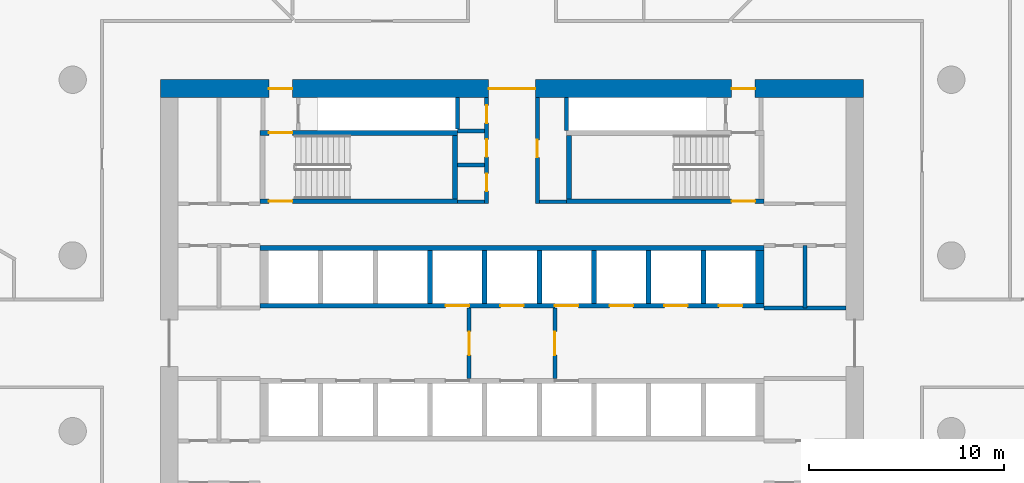
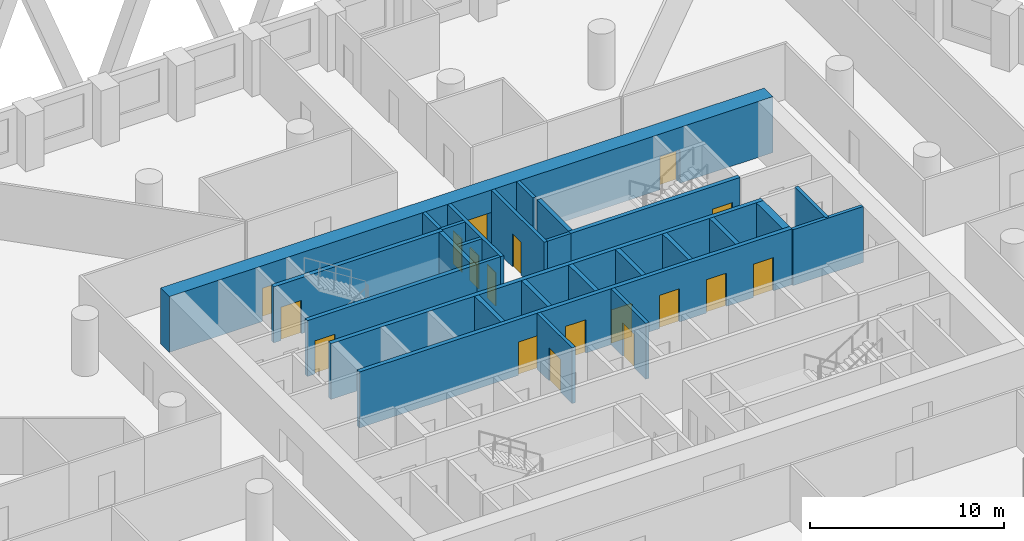
# One storey, part 6 of 18: 27 walls, 18 doors, 18 openings.
"""IFC4 building model written with IfcOpenShell, lengths in metres."""

from ifc_helpers import new_model, si_unit, direction, frame, frame_2d, origin, place, context, subcontext, project, spatial, polyline, rectangle, outline, extrude, material, layer, layer_set, type_object, element, fill, save


model = new_model("IFC4")

# Units and contexts
model_context = context("Model", 3, precision=1e-05, world=origin(), true_north=direction((0.0, 1.0)))
body_context = subcontext(model_context, "Body", "Model", "MODEL_VIEW")
ifc_project = project(units=[si_unit("LENGTHUNIT", "METRE"), si_unit("AREAUNIT", "SQUARE_METRE"), si_unit("VOLUMEUNIT", "CUBIC_METRE"), si_unit("PLANEANGLEUNIT", "RADIAN"), si_unit("MASSUNIT", "GRAM", prefix="KILO")], contexts=[model_context])

# Site, building, storey
site_placement = place(None, origin())
site = spatial("IfcSite", under=ifc_project, at=site_placement, CompositionType="ELEMENT")
building_placement = place(site_placement, origin())
building = spatial("IfcBuilding", under=site, at=building_placement, Name="Dhurran Vertical Campus", CompositionType="ELEMENT")
storey_placement = place(building_placement, frame((0.0, 0.0, 53.39990234375)))
storey = spatial("IfcBuildingStorey", under=building, at=storey_placement, Name="L12", CompositionType="ELEMENT", Elevation=53.39990234375)

# Wall, openings, doors
ifc_material_1 = material(Name="Concrete C60/75", Category="concrete")
ifc_layer_1 = layer(ifc_material_1, 0.89990234375)
ifc_layer_set_1 = layer_set([ifc_layer_1], Name="Concrete C60/75")
wall_type_1 = type_object("IfcWallType", Name="co-CORE-WALL-C0-900", PredefinedType="SHEAR", material=ifc_layer_set_1)
wall_1_placement = place(storey_placement, frame((-18.0, 13.050048828125, 0.0), z_axis=(0.0, 0.0, 1.0), x_axis=(1.0, 0.0, 0.0)))
wall_1 = element("IfcWall", 1, at=wall_1_placement, inside=storey, type_object=wall_type_1, Name="Core wall N L12", PredefinedType="SHEAR", context=body_context, shape_type="SweptSolid", body=[
    extrude(rectangle(XDim=36.0, YDim=0.89990234375, at=frame_2d((18.0, 0.0))), origin(), (0.0, 0.0, 1.0), 3.525146484375),
])
opening_1_placement = place(wall_1_placement, frame((16.800048828125, 0.0, 0.0)))
opening_1 = element("IfcOpeningElement", 2, at=opening_1_placement, cuts=wall_1, Name="Opening CV1", PredefinedType="OPENING", context=body_context, shape_type="SweptSolid", body=[
    extrude(rectangle(XDim=2.39990234375, YDim=2.10009765625, at=frame_2d((1.199951171875, 1.050048828125))), frame((0.0, 0.4599609375, 0.0), z_axis=(0.0, -1.0, 0.0), x_axis=(1.0, 0.0, 0.0)), (0.0, 0.0, 1.0), 0.919921875),
])
opening_2_placement = place(wall_1_placement, frame((5.550048828125, 0.0, 0.0)))
opening_2 = element("IfcOpeningElement", 3, at=opening_2_placement, cuts=wall_1, Name="Opening XD1", PredefinedType="OPENING", context=body_context, shape_type="SweptSolid", body=[
    extrude(rectangle(XDim=1.199951171875, YDim=2.10009765625, at=frame_2d((0.60009765625, 1.050048828125))), frame((0.0, 0.4599609375, 0.0), z_axis=(0.0, -1.0, 0.0), x_axis=(1.0, 0.0, 0.0)), (0.0, 0.0, 1.0), 0.919921875),
])
opening_3_placement = place(wall_1_placement, frame((29.25, 0.0, 0.0)))
opening_3 = element("IfcOpeningElement", 4, at=opening_3_placement, cuts=wall_1, Name="Opening XD2", PredefinedType="OPENING", context=body_context, shape_type="SweptSolid", body=[
    extrude(rectangle(XDim=1.199951171875, YDim=2.10009765625, at=frame_2d((0.60009765625, 1.050048828125))), frame((0.0, 0.4599609375, 0.0), z_axis=(0.0, -1.0, 0.0), x_axis=(1.0, 0.0, 0.0)), (0.0, 0.0, 1.0), 0.919921875),
])
ifc_material_2 = material(Name="Fire-rated glazed door set")
door_type_1 = type_object("IfcDoorType", Name="co-D-LOBBY 2400x2100", OperationType="DOUBLE_DOOR_DOUBLE_SWING", PredefinedType="DOOR", material=ifc_material_2)
door_1_placement = place(opening_1_placement, origin())
door_1 = element("IfcDoor", 5, at=door_1_placement, inside=storey, type_object=door_type_1, Name="Core vestibule door N L12", OperationType="DOUBLE_DOOR_DOUBLE_SWING", OverallHeight=2.10009765625, OverallWidth=2.39990234375, PredefinedType="DOOR", context=body_context, shape_type="SweptSolid", body=[
    extrude(rectangle(XDim=2.39990234375, YDim=2.10009765625, at=frame_2d((1.199951171875, 1.050048828125))), frame((0.0, 0.02490234375, 0.0), z_axis=(0.0, -1.0, 0.0), x_axis=(1.0, 0.0, 0.0)), (0.0, 0.0, 1.0), 0.050048828125),
])
fill(opening_1, door_1)
ifc_material_3 = material(Name="Fire-rated steel door set", Category="steel")
door_type_2 = type_object("IfcDoorType", Name="co-D-STAIR-EXIT 1200x2100", OperationType="SINGLE_SWING_RIGHT", PredefinedType="DOOR", material=ifc_material_3)
door_2_placement = place(opening_2_placement, origin())
door_2 = element("IfcDoor", 6, at=door_2_placement, inside=storey, type_object=door_type_2, Name="Stair ST1 exit door L12", OperationType="SINGLE_SWING_RIGHT", OverallHeight=2.10009765625, OverallWidth=1.199951171875, PredefinedType="DOOR", context=body_context, shape_type="SweptSolid", body=[
    extrude(rectangle(XDim=1.199951171875, YDim=2.10009765625, at=frame_2d((0.60009765625, 1.050048828125))), frame((0.0, 0.02490234375, 0.0), z_axis=(0.0, -1.0, 0.0), x_axis=(1.0, 0.0, 0.0)), (0.0, 0.0, 1.0), 0.050048828125),
])
fill(opening_2, door_2)
door_3_placement = place(opening_3_placement, origin())
door_3 = element("IfcDoor", 7, at=door_3_placement, inside=storey, type_object=door_type_2, Name="Stair ST2 exit door L12", OperationType="SINGLE_SWING_RIGHT", OverallHeight=2.10009765625, OverallWidth=1.199951171875, PredefinedType="DOOR", context=body_context, shape_type="SweptSolid", body=[
    extrude(rectangle(XDim=1.199951171875, YDim=2.10009765625, at=frame_2d((0.60009765625, 1.050048828125))), frame((0.0, 0.02490234375, 0.0), z_axis=(0.0, -1.0, 0.0), x_axis=(1.0, 0.0, 0.0)), (0.0, 0.0, 1.0), 0.050048828125),
])
fill(opening_3, door_3)

# Wall, opening, door
ifc_material_4 = material(Name="Fire-rated masonry blockwork", Category="masonry")
ifc_layer_2 = layer(ifc_material_4, 0.199951171875)
ifc_layer_set_2 = layer_set([ifc_layer_2], Name="Fire-rated masonry blockwork")
wall_type_2 = type_object("IfcWallType", Name="co-FIRE-PARTITION-200", PredefinedType="PARTITIONING", material=ifc_layer_set_2)
wall_2_placement = place(storey_placement, frame((-2.199951171875, -1.800048828125, 0.0), z_axis=(0.0, 0.0, 1.0), x_axis=(0.0, 1.0, 0.0)))
wall_2 = element("IfcWall", 8, at=wall_2_placement, inside=storey, type_object=wall_type_2, Name="Firefighting lobby wall W L12", PredefinedType="PARTITIONING", context=body_context, shape_type="SweptSolid", body=[
    extrude(rectangle(XDim=3.60009765625, YDim=0.199951171875, at=frame_2d((1.800048828125, 0.0))), origin(), (0.0, 0.0, 1.0), 3.525146484375),
])
opening_4_placement = place(wall_2_placement, frame((1.199951171875, 0.0, 0.0)))
opening_4 = element("IfcOpeningElement", 9, at=opening_4_placement, cuts=wall_2, Name="Opening FL1", PredefinedType="OPENING", context=body_context, shape_type="SweptSolid", body=[
    extrude(rectangle(XDim=1.199951171875, YDim=2.10009765625, at=frame_2d((0.60009765625, 1.050048828125))), frame((0.0, 0.10986328125, 0.0), z_axis=(0.0, -1.0, 0.0), x_axis=(1.0, 0.0, 0.0)), (0.0, 0.0, 1.0), 0.219970703125),
])
ifc_material_5 = material(Name="Fire-rated steel door set", Category="steel")
door_type_3 = type_object("IfcDoorType", Name="co-D-FFLOBBY 1200x2100", OperationType="SINGLE_SWING_LEFT", PredefinedType="DOOR", material=ifc_material_5)
door_4_placement = place(opening_4_placement, origin())
door_4 = element("IfcDoor", 10, at=door_4_placement, inside=storey, type_object=door_type_3, Name="Firefighting lobby door W L12", OperationType="SINGLE_SWING_LEFT", OverallHeight=2.10009765625, OverallWidth=1.199951171875, PredefinedType="DOOR", context=body_context, shape_type="SweptSolid", body=[
    extrude(rectangle(XDim=1.199951171875, YDim=2.10009765625, at=frame_2d((0.60009765625, 1.050048828125))), frame((0.0, 0.02490234375, 0.0), z_axis=(0.0, -1.0, 0.0), x_axis=(1.0, 0.0, 0.0)), (0.0, 0.0, 1.0), 0.050048828125),
])
fill(opening_4, door_4)

wall_3_placement = place(storey_placement, frame((2.199951171875, -1.800048828125, 0.0), z_axis=(0.0, 0.0, 1.0), x_axis=(0.0, 1.0, 0.0)))
wall_3 = element("IfcWall", 11, at=wall_3_placement, inside=storey, type_object=wall_type_2, Name="Firefighting lobby wall E L12", PredefinedType="PARTITIONING", context=body_context, shape_type="SweptSolid", body=[
    extrude(rectangle(XDim=3.60009765625, YDim=0.199951171875, at=frame_2d((1.800048828125, 0.0))), origin(), (0.0, 0.0, 1.0), 3.525146484375),
])
opening_5_placement = place(wall_3_placement, frame((1.199951171875, 0.0, 0.0)))
opening_5 = element("IfcOpeningElement", 12, at=opening_5_placement, cuts=wall_3, Name="Opening FL2", PredefinedType="OPENING", context=body_context, shape_type="SweptSolid", body=[
    extrude(rectangle(XDim=1.199951171875, YDim=2.10009765625, at=frame_2d((0.60009765625, 1.050048828125))), frame((0.0, 0.10986328125, 0.0), z_axis=(0.0, -1.0, 0.0), x_axis=(1.0, 0.0, 0.0)), (0.0, 0.0, 1.0), 0.219970703125),
])
door_5_placement = place(opening_5_placement, origin())
door_5 = element("IfcDoor", 13, at=door_5_placement, inside=storey, type_object=door_type_3, Name="Firefighting lobby door E L12", OperationType="SINGLE_SWING_LEFT", OverallHeight=2.10009765625, OverallWidth=1.199951171875, PredefinedType="DOOR", context=body_context, shape_type="SweptSolid", body=[
    extrude(rectangle(XDim=1.199951171875, YDim=2.10009765625, at=frame_2d((0.60009765625, 1.050048828125))), frame((0.0, 0.02490234375, 0.0), z_axis=(0.0, -1.0, 0.0), x_axis=(1.0, 0.0, 0.0)), (0.0, 0.0, 1.0), 0.050048828125),
])
fill(opening_5, door_5)

# Walls
for number, where, z_axis, x_axis, name in (
    (14, (-2.800048828125, 7.25, 0.0), (0.0, 0.0, 1.0), (1.0, 0.0, 0.0), "Core partition sl-NW-S L12"),
    (15, (-2.800048828125, 9.135009765625, 0.0), (0.0, 0.0, 1.0), (1.0, 0.0, 0.0), "Core partition sl-NW-cut0 L12"),
    (16, (-2.800048828125, 10.867431640625, 0.0), (0.0, 0.0, 1.0), (1.0, 0.0, 0.0), "Core partition sl-NW-cut1 L12"),
    (17, (1.39990234375, 7.25, 0.0), (0.0, 0.0, 1.0), (1.0, 0.0, 0.0), "Core partition sl-NE-S L12"),
):
    element("IfcWall", number, at=place(storey_placement, frame(where, z_axis=z_axis, x_axis=x_axis)), inside=storey, type_object=wall_type_2, Name=name, PredefinedType="PARTITIONING", context=body_context, shape_type="SweptSolid", body=[
        extrude(rectangle(XDim=1.400146484375, YDim=0.199951171875, at=frame_2d((0.7001953125, 0.0))), origin(), (0.0, 0.0, 1.0), 3.525146484375),
    ])

# Wall, openings, doors
wall_4_placement = place(storey_placement, frame((-1.300048828125, 7.14990234375, 0.0), z_axis=(0.0, 0.0, 1.0), x_axis=(0.0, 1.0, 0.0)))
wall_4 = element("IfcWall", 18, at=wall_4_placement, inside=storey, type_object=wall_type_2, Name="Core partition vest-NW L12", PredefinedType="PARTITIONING", context=body_context, shape_type="SweptSolid", body=[
    extrude(rectangle(XDim=5.4501953125, YDim=0.199951171875, at=frame_2d((2.72509765625, 0.0))), origin(), (0.0, 0.0, 1.0), 3.525146484375),
])
opening_6_placement = place(wall_4_placement, frame((0.642578125, 0.0, 0.0)))
opening_6 = element("IfcOpeningElement", 19, at=opening_6_placement, cuts=wall_4, Name="Opening T03-C6", PredefinedType="OPENING", context=body_context, shape_type="SweptSolid", body=[
    extrude(rectangle(XDim=0.89990234375, YDim=2.10009765625, at=frame_2d((0.449951171875, 1.050048828125))), frame((0.0, 0.10986328125, 0.0), z_axis=(0.0, -1.0, 0.0), x_axis=(1.0, 0.0, 0.0)), (0.0, 0.0, 1.0), 0.219970703125),
])
opening_7_placement = place(wall_4_placement, frame((2.401123046875, 0.0, 0.0)))
opening_7 = element("IfcOpeningElement", 20, at=opening_7_placement, cuts=wall_4, Name="Opening T03-C7", PredefinedType="OPENING", context=body_context, shape_type="SweptSolid", body=[
    extrude(rectangle(XDim=0.89990234375, YDim=2.10009765625, at=frame_2d((0.449951171875, 1.050048828125))), frame((0.0, 0.10986328125, 0.0), z_axis=(0.0, -1.0, 0.0), x_axis=(1.0, 0.0, 0.0)), (0.0, 0.0, 1.0), 0.219970703125),
])
opening_8_placement = place(wall_4_placement, frame((4.1337890625, 0.0, 0.0)))
opening_8 = element("IfcOpeningElement", 21, at=opening_8_placement, cuts=wall_4, Name="Opening T03-C8", PredefinedType="OPENING", context=body_context, shape_type="SweptSolid", body=[
    extrude(rectangle(XDim=0.89990234375, YDim=2.10009765625, at=frame_2d((0.449951171875, 1.050048828125))), frame((0.0, 0.10986328125, 0.0), z_axis=(0.0, -1.0, 0.0), x_axis=(1.0, 0.0, 0.0)), (0.0, 0.0, 1.0), 0.219970703125),
])
ifc_material_6 = material(Name="Fire-rated timber door set", Category="wood")
door_type_4 = type_object("IfcDoorType", Name="co-D-ROOM 900x2100", OperationType="SINGLE_SWING_LEFT", PredefinedType="DOOR", material=ifc_material_6)
door_6_placement = place(opening_6_placement, origin())
door_6 = element("IfcDoor", 22, at=door_6_placement, inside=storey, type_object=door_type_4, Name="Cleaner's store door L12", OperationType="SINGLE_SWING_LEFT", OverallHeight=2.10009765625, OverallWidth=0.89990234375, PredefinedType="DOOR", context=body_context, shape_type="SweptSolid", body=[
    extrude(rectangle(XDim=0.89990234375, YDim=2.10009765625, at=frame_2d((0.449951171875, 1.050048828125))), frame((0.0, 0.02490234375, 0.0), z_axis=(0.0, -1.0, 0.0), x_axis=(1.0, 0.0, 0.0)), (0.0, 0.0, 1.0), 0.050048828125),
])
fill(opening_6, door_6)
door_7_placement = place(opening_7_placement, origin())
door_7 = element("IfcDoor", 23, at=door_7_placement, inside=storey, type_object=door_type_4, Name="Communications room door L12", OperationType="SINGLE_SWING_LEFT", OverallHeight=2.10009765625, OverallWidth=0.89990234375, PredefinedType="DOOR", context=body_context, shape_type="SweptSolid", body=[
    extrude(rectangle(XDim=0.89990234375, YDim=2.10009765625, at=frame_2d((0.449951171875, 1.050048828125))), frame((0.0, 0.02490234375, 0.0), z_axis=(0.0, -1.0, 0.0), x_axis=(1.0, 0.0, 0.0)), (0.0, 0.0, 1.0), 0.050048828125),
])
fill(opening_7, door_7)
door_8_placement = place(opening_8_placement, origin())
door_8 = element("IfcDoor", 24, at=door_8_placement, inside=storey, type_object=door_type_4, Name="Pantry door L12", OperationType="SINGLE_SWING_LEFT", OverallHeight=2.10009765625, OverallWidth=0.89990234375, PredefinedType="DOOR", context=body_context, shape_type="SweptSolid", body=[
    extrude(rectangle(XDim=0.89990234375, YDim=2.10009765625, at=frame_2d((0.449951171875, 1.050048828125))), frame((0.0, 0.02490234375, 0.0), z_axis=(0.0, -1.0, 0.0), x_axis=(1.0, 0.0, 0.0)), (0.0, 0.0, 1.0), 0.050048828125),
])
fill(opening_8, door_8)

# Wall, opening, door
wall_5_placement = place(storey_placement, frame((1.300048828125, 7.14990234375, 0.0), z_axis=(0.0, 0.0, 1.0), x_axis=(0.0, 1.0, 0.0)))
wall_5 = element("IfcWall", 25, at=wall_5_placement, inside=storey, type_object=wall_type_2, Name="Core partition vest-NE L12", PredefinedType="PARTITIONING", context=body_context, shape_type="SweptSolid", body=[
    extrude(rectangle(XDim=5.4501953125, YDim=0.199951171875, at=frame_2d((2.72509765625, 0.0))), origin(), (0.0, 0.0, 1.0), 3.525146484375),
])
opening_9_placement = place(wall_5_placement, frame((2.375, 0.0, 0.0)))
opening_9 = element("IfcOpeningElement", 26, at=opening_9_placement, cuts=wall_5, Name="Opening T03-C9", PredefinedType="OPENING", context=body_context, shape_type="SweptSolid", body=[
    extrude(rectangle(XDim=0.89990234375, YDim=2.10009765625, at=frame_2d((0.449951171875, 1.050048828125))), frame((0.0, 0.10986328125, 0.0), z_axis=(0.0, -1.0, 0.0), x_axis=(1.0, 0.0, 0.0)), (0.0, 0.0, 1.0), 0.219970703125),
])
door_9_placement = place(opening_9_placement, origin())
door_9 = element("IfcDoor", 27, at=door_9_placement, inside=storey, type_object=door_type_4, Name="Fire equipment store door L12", OperationType="SINGLE_SWING_LEFT", OverallHeight=2.10009765625, OverallWidth=0.89990234375, PredefinedType="DOOR", context=body_context, shape_type="SweptSolid", body=[
    extrude(rectangle(XDim=0.89990234375, YDim=2.10009765625, at=frame_2d((0.449951171875, 1.050048828125))), frame((0.0, 0.02490234375, 0.0), z_axis=(0.0, -1.0, 0.0), x_axis=(1.0, 0.0, 0.0)), (0.0, 0.0, 1.0), 0.050048828125),
])
fill(opening_9, door_9)

# Walls
wall_6_placement = place(storey_placement, frame((15.0, 1.800048828125, 0.0), z_axis=(0.0, 0.0, 1.0), x_axis=(0.0, 1.0, 0.0)))
element("IfcWall", 28, at=wall_6_placement, inside=storey, type_object=wall_type_2, Name="Core partition es-NE-cut0 L12", PredefinedType="PARTITIONING", context=body_context, shape_type="SweptSolid", body=[
    extrude(rectangle(XDim=3.199951171875, YDim=0.199951171875, at=frame_2d((1.60009765625, 0.0))), origin(), (0.0, 0.0, 1.0), 3.525146484375),
])
wall_7_placement = place(storey_placement, frame((12.89990234375, 1.800048828125, 0.0), z_axis=(0.0, 0.0, 1.0), x_axis=(1.0, 0.0, 0.0)))
element("IfcWall", 29, at=wall_7_placement, inside=storey, type_object=wall_type_2, Name="Core partition es-NE-l L12", PredefinedType="PARTITIONING", context=body_context, shape_type="SweptSolid", body=[
    extrude(rectangle(XDim=4.2001953125, YDim=0.199951171875, at=frame_2d((2.10009765625, 0.0))), origin(), (0.0, 0.0, 1.0), 3.525146484375),
])
wall_8_placement = place(storey_placement, frame((-2.800048828125, 10.968505859375, 0.0), z_axis=(0.0, 0.0, 1.0), x_axis=(0.0, 1.0, 0.0)))
element("IfcWall", 30, at=wall_8_placement, inside=storey, type_object=wall_type_2, Name="Riser enclosure wall L12", PredefinedType="PARTITIONING", context=body_context, shape_type="SweptSolid", body=[
    extrude(rectangle(XDim=1.630615234375, YDim=0.199951171875, at=frame_2d((0.8154296875, 0.0))), origin(), (0.0, 0.0, 1.0), 3.525146484375),
])
wall_9_placement = place(storey_placement, frame((2.800048828125, 12.59912109375, 0.0), z_axis=(0.0, 0.0, 1.0), x_axis=(0.0, -1.0, 0.0)))
element("IfcWall", 31, at=wall_9_placement, inside=storey, type_object=wall_type_2, Name="Riser enclosure wall L12", PredefinedType="PARTITIONING", context=body_context, shape_type="SweptSolid", body=[
    extrude(rectangle(XDim=1.6982421875, YDim=0.199951171875, at=frame_2d((0.84912109375, 0.0))), origin(), (0.0, 0.0, 1.0), 3.525146484375),
])

# Wall, openings, doors
ifc_material_7 = material(Name="Concrete C50/60", Category="concrete")
ifc_layer_3 = layer(ifc_material_7, 0.25)
ifc_layer_set_3 = layer_set([ifc_layer_3], Name="Concrete C50/60")
wall_type_3 = type_object("IfcWallType", Name="co-SHAFT-FRONT-250", PredefinedType="SHEAR", material=ifc_layer_set_3)
wall_10_placement = place(storey_placement, frame((-12.89990234375, 1.925048828125, 0.0), z_axis=(0.0, 0.0, 1.0), x_axis=(1.0, 0.0, 0.0)))
wall_10 = element("IfcWall", 32, at=wall_10_placement, inside=storey, type_object=wall_type_3, Name="Lift landing wall N L12", PredefinedType="SHEAR", context=body_context, shape_type="SweptSolid", body=[
    extrude(rectangle(XDim=25.7998046875, YDim=0.25, at=frame_2d((12.89990234375, 0.0))), origin(), (0.0, 0.0, 1.0), 3.525146484375),
])
opening_10_placement = place(wall_10_placement, frame((9.5, 0.0, 0.0)))
opening_10 = element("IfcOpeningElement", 33, at=opening_10_placement, cuts=wall_10, Name="Opening LD", PredefinedType="OPENING", context=body_context, shape_type="SweptSolid", body=[
    extrude(rectangle(XDim=1.199951171875, YDim=2.10009765625, at=frame_2d((0.60009765625, 1.050048828125))), frame((0.0, 0.135009765625, 0.0), z_axis=(0.0, -1.0, 0.0), x_axis=(1.0, 0.0, 0.0)), (0.0, 0.0, 1.0), 0.27001953125),
])
opening_11_placement = place(wall_10_placement, frame((12.300048828125, 0.0, 0.0)))
opening_11 = element("IfcOpeningElement", 34, at=opening_11_placement, cuts=wall_10, Name="Opening LD", PredefinedType="OPENING", context=body_context, shape_type="SweptSolid", body=[
    extrude(rectangle(XDim=1.199951171875, YDim=2.10009765625, at=frame_2d((0.60009765625, 1.050048828125))), frame((0.0, 0.135009765625, 0.0), z_axis=(0.0, -1.0, 0.0), x_axis=(1.0, 0.0, 0.0)), (0.0, 0.0, 1.0), 0.27001953125),
])
opening_12_placement = place(wall_10_placement, frame((15.10009765625, 0.0, 0.0)))
opening_12 = element("IfcOpeningElement", 35, at=opening_12_placement, cuts=wall_10, Name="Opening LD", PredefinedType="OPENING", context=body_context, shape_type="SweptSolid", body=[
    extrude(rectangle(XDim=1.199951171875, YDim=2.10009765625, at=frame_2d((0.60009765625, 1.050048828125))), frame((0.0, 0.135009765625, 0.0), z_axis=(0.0, -1.0, 0.0), x_axis=(1.0, 0.0, 0.0)), (0.0, 0.0, 1.0), 0.27001953125),
])
opening_13_placement = place(wall_10_placement, frame((17.89990234375, 0.0, 0.0)))
opening_13 = element("IfcOpeningElement", 36, at=opening_13_placement, cuts=wall_10, Name="Opening LD", PredefinedType="OPENING", context=body_context, shape_type="SweptSolid", body=[
    extrude(rectangle(XDim=1.199951171875, YDim=2.10009765625, at=frame_2d((0.60009765625, 1.050048828125))), frame((0.0, 0.135009765625, 0.0), z_axis=(0.0, -1.0, 0.0), x_axis=(1.0, 0.0, 0.0)), (0.0, 0.0, 1.0), 0.27001953125),
])
opening_14_placement = place(wall_10_placement, frame((20.699951171875, 0.0, 0.0)))
opening_14 = element("IfcOpeningElement", 37, at=opening_14_placement, cuts=wall_10, Name="Opening LD", PredefinedType="OPENING", context=body_context, shape_type="SweptSolid", body=[
    extrude(rectangle(XDim=1.199951171875, YDim=2.10009765625, at=frame_2d((0.60009765625, 1.050048828125))), frame((0.0, 0.135009765625, 0.0), z_axis=(0.0, -1.0, 0.0), x_axis=(1.0, 0.0, 0.0)), (0.0, 0.0, 1.0), 0.27001953125),
])
opening_15_placement = place(wall_10_placement, frame((23.5, 0.0, 0.0)))
opening_15 = element("IfcOpeningElement", 38, at=opening_15_placement, cuts=wall_10, Name="Opening LD", PredefinedType="OPENING", context=body_context, shape_type="SweptSolid", body=[
    extrude(rectangle(XDim=1.199951171875, YDim=2.10009765625, at=frame_2d((0.60009765625, 1.050048828125))), frame((0.0, 0.135009765625, 0.0), z_axis=(0.0, -1.0, 0.0), x_axis=(1.0, 0.0, 0.0)), (0.0, 0.0, 1.0), 0.27001953125),
])
ifc_material_8 = material(Name="Stainless steel landing door", Category="steel")
door_type_5 = type_object("IfcDoorType", Name="co-D-LANDING 1200x2100", OperationType="DOUBLE_DOOR_SLIDING", PredefinedType="DOOR", material=ifc_material_8)
door_10_placement = place(opening_10_placement, origin())
door_10 = element("IfcDoor", 39, at=door_10_placement, inside=storey, type_object=door_type_5, Name="Landing door LR1 L12", OperationType="DOUBLE_DOOR_SLIDING", OverallHeight=2.10009765625, OverallWidth=1.199951171875, PredefinedType="DOOR", context=body_context, shape_type="SweptSolid", body=[
    extrude(rectangle(XDim=1.199951171875, YDim=2.10009765625, at=frame_2d((0.60009765625, 1.050048828125))), frame((0.0, 0.02490234375, 0.0), z_axis=(0.0, -1.0, 0.0), x_axis=(1.0, 0.0, 0.0)), (0.0, 0.0, 1.0), 0.050048828125),
])
fill(opening_10, door_10)
door_11_placement = place(opening_11_placement, origin())
door_11 = element("IfcDoor", 40, at=door_11_placement, inside=storey, type_object=door_type_5, Name="Landing door FF1 L12", OperationType="DOUBLE_DOOR_SLIDING", OverallHeight=2.10009765625, OverallWidth=1.199951171875, PredefinedType="DOOR", context=body_context, shape_type="SweptSolid", body=[
    extrude(rectangle(XDim=1.199951171875, YDim=2.10009765625, at=frame_2d((0.60009765625, 1.050048828125))), frame((0.0, 0.02490234375, 0.0), z_axis=(0.0, -1.0, 0.0), x_axis=(1.0, 0.0, 0.0)), (0.0, 0.0, 1.0), 0.050048828125),
])
fill(opening_11, door_11)
door_12_placement = place(opening_12_placement, origin())
door_12 = element("IfcDoor", 41, at=door_12_placement, inside=storey, type_object=door_type_5, Name="Landing door LR2 L12", OperationType="DOUBLE_DOOR_SLIDING", OverallHeight=2.10009765625, OverallWidth=1.199951171875, PredefinedType="DOOR", context=body_context, shape_type="SweptSolid", body=[
    extrude(rectangle(XDim=1.199951171875, YDim=2.10009765625, at=frame_2d((0.60009765625, 1.050048828125))), frame((0.0, 0.02490234375, 0.0), z_axis=(0.0, -1.0, 0.0), x_axis=(1.0, 0.0, 0.0)), (0.0, 0.0, 1.0), 0.050048828125),
])
fill(opening_12, door_12)
door_13_placement = place(opening_13_placement, origin())
door_13 = element("IfcDoor", 42, at=door_13_placement, inside=storey, type_object=door_type_5, Name="Landing door LR3 L12", OperationType="DOUBLE_DOOR_SLIDING", OverallHeight=2.10009765625, OverallWidth=1.199951171875, PredefinedType="DOOR", context=body_context, shape_type="SweptSolid", body=[
    extrude(rectangle(XDim=1.199951171875, YDim=2.10009765625, at=frame_2d((0.60009765625, 1.050048828125))), frame((0.0, 0.02490234375, 0.0), z_axis=(0.0, -1.0, 0.0), x_axis=(1.0, 0.0, 0.0)), (0.0, 0.0, 1.0), 0.050048828125),
])
fill(opening_13, door_13)
door_14_placement = place(opening_14_placement, origin())
door_14 = element("IfcDoor", 43, at=door_14_placement, inside=storey, type_object=door_type_5, Name="Landing door LR4 L12", OperationType="DOUBLE_DOOR_SLIDING", OverallHeight=2.10009765625, OverallWidth=1.199951171875, PredefinedType="DOOR", context=body_context, shape_type="SweptSolid", body=[
    extrude(rectangle(XDim=1.199951171875, YDim=2.10009765625, at=frame_2d((0.60009765625, 1.050048828125))), frame((0.0, 0.02490234375, 0.0), z_axis=(0.0, -1.0, 0.0), x_axis=(1.0, 0.0, 0.0)), (0.0, 0.0, 1.0), 0.050048828125),
])
fill(opening_14, door_14)
door_15_placement = place(opening_15_placement, origin())
door_15 = element("IfcDoor", 44, at=door_15_placement, inside=storey, type_object=door_type_5, Name="Landing door SV2 L12", OperationType="DOUBLE_DOOR_SLIDING", OverallHeight=2.10009765625, OverallWidth=1.199951171875, PredefinedType="DOOR", context=body_context, shape_type="SweptSolid", body=[
    extrude(rectangle(XDim=1.199951171875, YDim=2.10009765625, at=frame_2d((0.60009765625, 1.050048828125))), frame((0.0, 0.02490234375, 0.0), z_axis=(0.0, -1.0, 0.0), x_axis=(1.0, 0.0, 0.0)), (0.0, 0.0, 1.0), 0.050048828125),
])
fill(opening_15, door_15)

# Walls
ifc_material_9 = material(Name="Concrete C50/60", Category="concrete")
ifc_layer_4 = layer(ifc_material_9, 0.25)
ifc_layer_set_4 = layer_set([ifc_layer_4], Name="Concrete C50/60")
wall_type_4 = type_object("IfcWallType", Name="co-SHAFT-MASS-250", PredefinedType="SHEAR", material=ifc_layer_set_4)
wall_11_placement = place(storey_placement, origin())
element("IfcWall", 45, at=wall_11_placement, inside=storey, type_object=wall_type_4, Name="Lift shaft wall N L12 1", PredefinedType="SHEAR", context=body_context, shape_type="SweptSolid", body=[
    extrude(outline(polyline([(-12.89990234375, 4.75), (12.89990234375, 4.75), (12.89990234375, 5.0), (-12.89990234375, 5.0), (-12.89990234375, 4.75)])), origin(), (0.0, 0.0, 1.0), 3.525146484375),
])
wall_12_placement = place(storey_placement, origin())
element("IfcWall", 46, at=wall_12_placement, inside=storey, type_object=wall_type_4, Name="Lift shaft wall N L12 5", PredefinedType="SHEAR", context=body_context, shape_type="SweptSolid", body=[
    extrude(outline(polyline([(-4.324951171875, 2.050048828125), (-4.074951171875, 2.050048828125), (-4.074951171875, 4.75), (-4.324951171875, 4.75), (-4.324951171875, 2.050048828125)])), origin(), (0.0, 0.0, 1.0), 3.525146484375),
])
wall_13_placement = place(storey_placement, origin())
element("IfcWall", 47, at=wall_13_placement, inside=storey, type_object=wall_type_4, Name="Lift shaft wall N L12 6", PredefinedType="SHEAR", context=body_context, shape_type="SweptSolid", body=[
    extrude(outline(polyline([(-1.52490234375, 2.050048828125), (-1.27490234375, 2.050048828125), (-1.27490234375, 4.75), (-1.52490234375, 4.75), (-1.52490234375, 2.050048828125)])), origin(), (0.0, 0.0, 1.0), 3.525146484375),
])
wall_14_placement = place(storey_placement, origin())
element("IfcWall", 48, at=wall_14_placement, inside=storey, type_object=wall_type_4, Name="Lift shaft wall N L12 7", PredefinedType="SHEAR", context=body_context, shape_type="SweptSolid", body=[
    extrude(outline(polyline([(1.27490234375, 2.050048828125), (1.52490234375, 2.050048828125), (1.52490234375, 4.75), (1.27490234375, 4.75), (1.27490234375, 2.050048828125)])), origin(), (0.0, 0.0, 1.0), 3.525146484375),
])
wall_15_placement = place(storey_placement, origin())
element("IfcWall", 49, at=wall_15_placement, inside=storey, type_object=wall_type_4, Name="Lift shaft wall N L12 8", PredefinedType="SHEAR", context=body_context, shape_type="SweptSolid", body=[
    extrude(outline(polyline([(4.074951171875, 2.050048828125), (4.324951171875, 2.050048828125), (4.324951171875, 4.75), (4.074951171875, 4.75), (4.074951171875, 2.050048828125)])), origin(), (0.0, 0.0, 1.0), 3.525146484375),
])
wall_16_placement = place(storey_placement, origin())
element("IfcWall", 50, at=wall_16_placement, inside=storey, type_object=wall_type_4, Name="Lift shaft wall N L12 9", PredefinedType="SHEAR", context=body_context, shape_type="SweptSolid", body=[
    extrude(outline(polyline([(6.875, 2.050048828125), (7.125, 2.050048828125), (7.125, 4.75), (6.875, 4.75), (6.875, 2.050048828125)])), origin(), (0.0, 0.0, 1.0), 3.525146484375),
])
wall_17_placement = place(storey_placement, origin())
element("IfcWall", 51, at=wall_17_placement, inside=storey, type_object=wall_type_4, Name="Lift shaft wall N L12 10", PredefinedType="SHEAR", context=body_context, shape_type="SweptSolid", body=[
    extrude(outline(polyline([(9.675048828125, 2.050048828125), (9.925048828125, 2.050048828125), (9.925048828125, 4.75), (9.675048828125, 4.75), (9.675048828125, 2.050048828125)])), origin(), (0.0, 0.0, 1.0), 3.525146484375),
])
wall_18_placement = place(storey_placement, origin())
element("IfcWall", 52, at=wall_18_placement, inside=storey, type_object=wall_type_4, Name="Lift shaft wall N L12 11", PredefinedType="SHEAR", context=body_context, shape_type="SweptSolid", body=[
    extrude(outline(polyline([(12.47509765625, 2.050048828125), (12.89990234375, 2.050048828125), (12.89990234375, 4.75), (12.47509765625, 4.75), (12.47509765625, 2.050048828125)])), origin(), (0.0, 0.0, 1.0), 3.525146484375),
])

# Wall, opening, door
ifc_material_10 = material(Name="Concrete C40/50", Category="concrete")
ifc_layer_5 = layer(ifc_material_10, 0.25)
ifc_layer_set_5 = layer_set([ifc_layer_5], Name="Concrete C40/50")
wall_type_5 = type_object("IfcWallType", Name="co-STAIR-WALL-250", PredefinedType="SHEAR", material=ifc_layer_set_5)
wall_19_placement = place(storey_placement, frame((-12.89990234375, 7.27490234375, 0.0), z_axis=(0.0, 0.0, 1.0), x_axis=(1.0, 0.0, 0.0)))
wall_19 = element("IfcWall", 53, at=wall_19_placement, inside=storey, type_object=wall_type_5, Name="Stair ST1 enclosure wall L12", PredefinedType="SHEAR", context=body_context, shape_type="SweptSolid", body=[
    extrude(rectangle(XDim=10.099853515625, YDim=0.25, at=frame_2d((5.0498046875, 0.0))), origin(), (0.0, 0.0, 1.0), 3.525146484375),
])
opening_16_placement = place(wall_19_placement, frame((0.449951171875, 0.0, 0.0)))
opening_16 = element("IfcOpeningElement", 54, at=opening_16_placement, cuts=wall_19, Name="Opening SD1", PredefinedType="OPENING", context=body_context, shape_type="SweptSolid", body=[
    extrude(rectangle(XDim=1.199951171875, YDim=2.10009765625, at=frame_2d((0.60009765625, 1.050048828125))), frame((0.0, 0.135009765625, 0.0), z_axis=(0.0, -1.0, 0.0), x_axis=(1.0, 0.0, 0.0)), (0.0, 0.0, 1.0), 0.27001953125),
])
ifc_material_11 = material(Name="Fire-rated steel door set", Category="steel")
door_type_6 = type_object("IfcDoorType", Name="co-D-STAIR 1200x2100", OperationType="SINGLE_SWING_LEFT", PredefinedType="DOOR", material=ifc_material_11)
door_16_placement = place(opening_16_placement, origin())
door_16 = element("IfcDoor", 55, at=door_16_placement, inside=storey, type_object=door_type_6, Name="Stair ST1 door L12", OperationType="SINGLE_SWING_LEFT", OverallHeight=2.10009765625, OverallWidth=1.199951171875, PredefinedType="DOOR", context=body_context, shape_type="SweptSolid", body=[
    extrude(rectangle(XDim=1.199951171875, YDim=2.10009765625, at=frame_2d((0.60009765625, 1.050048828125))), frame((0.0, 0.02490234375, 0.0), z_axis=(0.0, -1.0, 0.0), x_axis=(1.0, 0.0, 0.0)), (0.0, 0.0, 1.0), 0.050048828125),
])
fill(opening_16, door_16)

wall_20_placement = place(storey_placement, frame((-12.89990234375, 10.77490234375, 0.0), z_axis=(0.0, 0.0, 1.0), x_axis=(1.0, 0.0, 0.0)))
wall_20 = element("IfcWall", 56, at=wall_20_placement, inside=storey, type_object=wall_type_5, Name="Stair ST1 enclosure wall L12", PredefinedType="SHEAR", context=body_context, shape_type="SweptSolid", body=[
    extrude(rectangle(XDim=10.099853515625, YDim=0.25, at=frame_2d((5.0498046875, 0.0))), origin(), (0.0, 0.0, 1.0), 3.525146484375),
])
opening_17_placement = place(wall_20_placement, frame((0.449951171875, 0.0, 0.0)))
opening_17 = element("IfcOpeningElement", 57, at=opening_17_placement, cuts=wall_20, Name="Opening XS1", PredefinedType="OPENING", context=body_context, shape_type="SweptSolid", body=[
    extrude(rectangle(XDim=1.199951171875, YDim=2.10009765625, at=frame_2d((0.60009765625, 1.050048828125))), frame((0.0, 0.135009765625, 0.0), z_axis=(0.0, -1.0, 0.0), x_axis=(1.0, 0.0, 0.0)), (0.0, 0.0, 1.0), 0.27001953125),
])
door_17_placement = place(opening_17_placement, origin())
door_17 = element("IfcDoor", 58, at=door_17_placement, inside=storey, type_object=door_type_2, Name="Stair ST1 discharge door L12", OperationType="SINGLE_SWING_RIGHT", OverallHeight=2.10009765625, OverallWidth=1.199951171875, PredefinedType="DOOR", context=body_context, shape_type="SweptSolid", body=[
    extrude(rectangle(XDim=1.199951171875, YDim=2.10009765625, at=frame_2d((0.60009765625, 1.050048828125))), frame((0.0, 0.02490234375, 0.0), z_axis=(0.0, -1.0, 0.0), x_axis=(1.0, 0.0, 0.0)), (0.0, 0.0, 1.0), 0.050048828125),
])
fill(opening_17, door_17)

# Wall
wall_21_placement = place(storey_placement, frame((-2.925048828125, 7.39990234375, 0.0), z_axis=(0.0, 0.0, 1.0), x_axis=(0.0, 1.0, 0.0)))
element("IfcWall", 59, at=wall_21_placement, inside=storey, type_object=wall_type_5, Name="Stair ST1 enclosure wall L12", PredefinedType="SHEAR", context=body_context, shape_type="SweptSolid", body=[
    extrude(rectangle(XDim=3.25, YDim=0.25, at=frame_2d((1.625, 0.0))), origin(), (0.0, 0.0, 1.0), 3.525146484375),
])

# Wall, opening, door
wall_22_placement = place(storey_placement, frame((2.800048828125, 7.27490234375, 0.0), z_axis=(0.0, 0.0, 1.0), x_axis=(1.0, 0.0, 0.0)))
wall_22 = element("IfcWall", 60, at=wall_22_placement, inside=storey, type_object=wall_type_5, Name="Stair ST2 enclosure wall L12", PredefinedType="SHEAR", context=body_context, shape_type="SweptSolid", body=[
    extrude(rectangle(XDim=10.099853515625, YDim=0.25, at=frame_2d((5.0498046875, 0.0))), origin(), (0.0, 0.0, 1.0), 3.525146484375),
])
opening_18_placement = place(wall_22_placement, frame((8.449951171875, 0.0, 0.0)))
opening_18 = element("IfcOpeningElement", 61, at=opening_18_placement, cuts=wall_22, Name="Opening SD2", PredefinedType="OPENING", context=body_context, shape_type="SweptSolid", body=[
    extrude(rectangle(XDim=1.199951171875, YDim=2.10009765625, at=frame_2d((0.60009765625, 1.050048828125))), frame((0.0, 0.135009765625, 0.0), z_axis=(0.0, -1.0, 0.0), x_axis=(1.0, 0.0, 0.0)), (0.0, 0.0, 1.0), 0.27001953125),
])
door_18_placement = place(opening_18_placement, origin())
door_18 = element("IfcDoor", 62, at=door_18_placement, inside=storey, type_object=door_type_6, Name="Stair ST2 door L12", OperationType="SINGLE_SWING_LEFT", OverallHeight=2.10009765625, OverallWidth=1.199951171875, PredefinedType="DOOR", context=body_context, shape_type="SweptSolid", body=[
    extrude(rectangle(XDim=1.199951171875, YDim=2.10009765625, at=frame_2d((0.60009765625, 1.050048828125))), frame((0.0, 0.02490234375, 0.0), z_axis=(0.0, -1.0, 0.0), x_axis=(1.0, 0.0, 0.0)), (0.0, 0.0, 1.0), 0.050048828125),
])
fill(opening_18, door_18)

# Wall
wall_23_placement = place(storey_placement, frame((2.925048828125, 7.39990234375, 0.0), z_axis=(0.0, 0.0, 1.0), x_axis=(0.0, 1.0, 0.0)))
element("IfcWall", 63, at=wall_23_placement, inside=storey, type_object=wall_type_5, Name="Stair ST2 enclosure wall L12", PredefinedType="SHEAR", context=body_context, shape_type="SweptSolid", body=[
    extrude(rectangle(XDim=3.25, YDim=0.25, at=frame_2d((1.625, 0.0))), origin(), (0.0, 0.0, 1.0), 3.525146484375),
])

save(model, "model.ifc")
